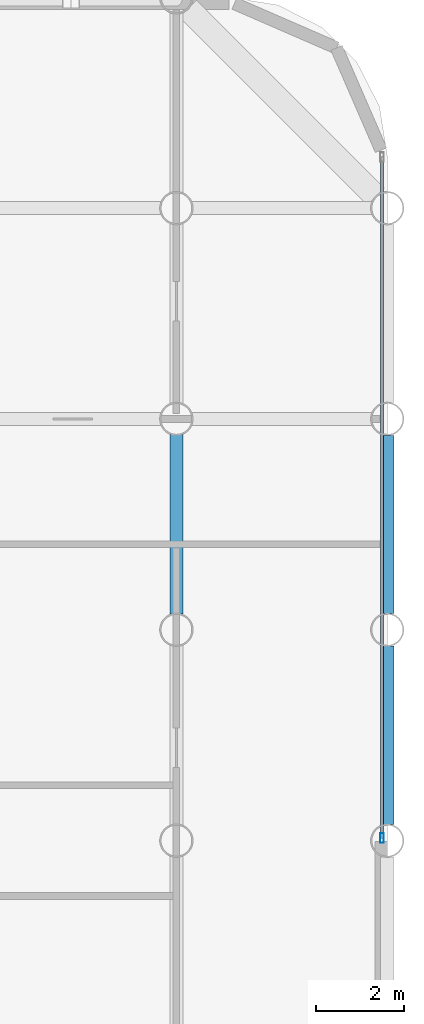
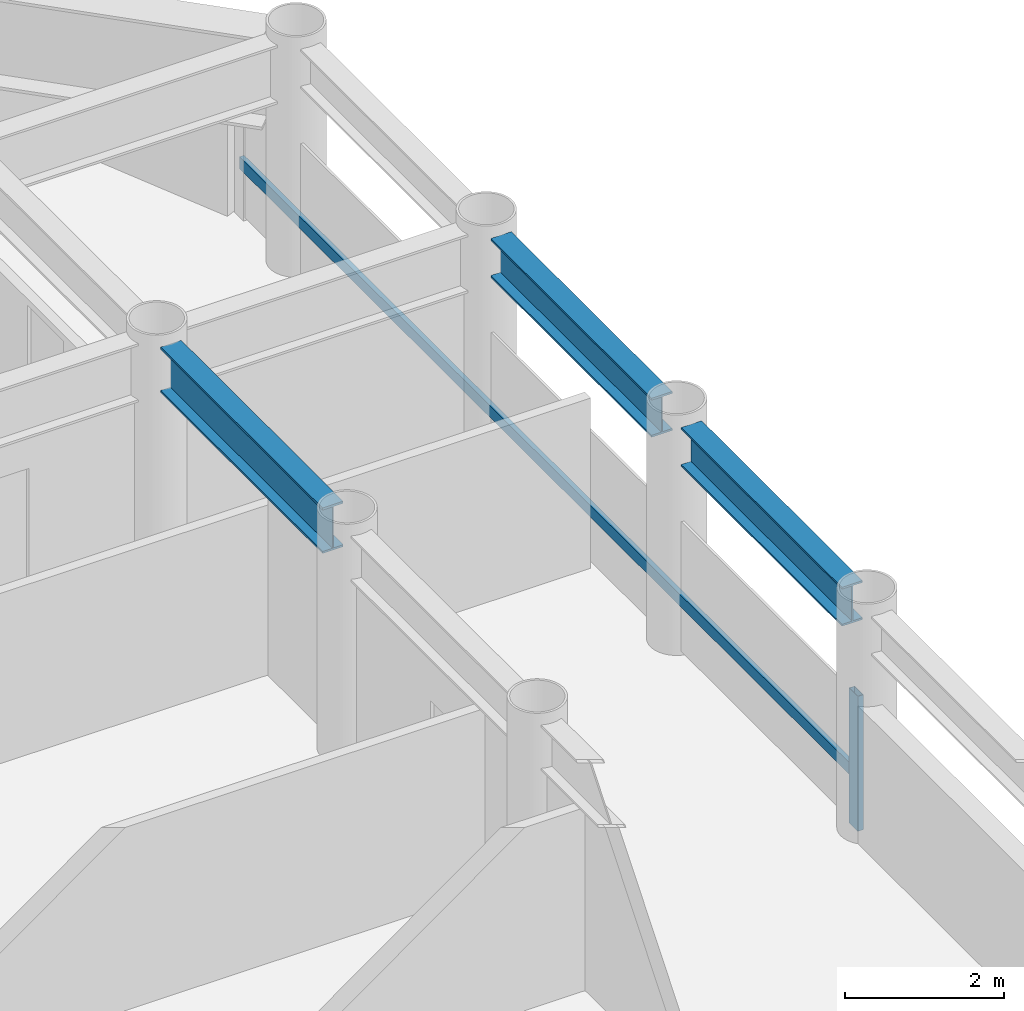
# One storey, part 8 of 21: 3 beams, 2 members, 1 element without a shape of its own.
"""IFC4 building model written with IfcOpenShell, lengths in metres."""

from ifc_helpers import new_model, si_unit, direction, frame, origin, origin_2d, place, context, subcontext, project, spatial, hollow_rectangle, i_section, extrude, material, layer, layer_set, material_profile, profile_set, type_object, element, aggregate, save


model = new_model("IFC4")

# Units and contexts
model_context = context("Model", 3, precision=1e-05, world=origin(), true_north=direction((0.0, 1.0)))
body_context = subcontext(model_context, "Body", "Model", "MODEL_VIEW")
ifc_project = project(units=[si_unit("LENGTHUNIT", "METRE"), si_unit("AREAUNIT", "SQUARE_METRE"), si_unit("VOLUMEUNIT", "CUBIC_METRE"), si_unit("PLANEANGLEUNIT", "RADIAN"), si_unit("MASSUNIT", "GRAM", prefix="KILO")], contexts=[model_context])

# Site, building, storey
site_placement = place(None, origin())
site = spatial("IfcSite", under=ifc_project, at=site_placement, CompositionType="ELEMENT")
building_placement = place(site_placement, origin())
building = spatial("IfcBuilding", under=site, at=building_placement, Name="Kallvorn Hotel Tower", CompositionType="ELEMENT")
storey_placement = place(building_placement, frame((0.0, 0.0, 81.800048828125)))
storey = spatial("IfcBuildingStorey", under=building, at=storey_placement, Name="L19", CompositionType="ELEMENT", Elevation=81.800048828125)

# Beams
ifc_material_1 = material(Name="Structural steel S355JR", Category="steel")
ifc_material_profile_1 = material_profile(ifc_material_1, i_section(OverallWidth=0.300048828125, OverallDepth=0.60009765625, WebThickness=0.015380859375, FlangeThickness=0.030029296875, at=origin_2d()), Name="HE 600 B")
ifc_profile_set_1 = profile_set([ifc_material_profile_1], Name="Structural steel S355JR")
beam_type_1 = type_object("IfcBeamType", Name="BM_HE600B", PredefinedType="SPANDREL", material=ifc_profile_set_1)
beam_1_placement = place(storey_placement, frame((33.60009765625, 0.37109375, 3.219970703125), z_axis=(0.0, 1.0, 0.0), x_axis=(-1.0, 0.0, 0.0)))
element("IfcBeam", 1, at=beam_1_placement, inside=storey, type_object=beam_type_1, Name="L20 Perimeter Spandrel 186", PredefinedType="SPANDREL", context=body_context, shape_type="SweptSolid", body=[
    extrude(i_section(OverallWidth=0.300048828125, OverallDepth=0.60009765625, WebThickness=0.015380859375, FlangeThickness=0.030029296875, at=origin_2d()), origin(), (0.0, 0.0, 1.0), 4.057861328125),
])
beam_2_placement = place(storey_placement, frame((33.60009765625, 5.1708984375, 3.219970703125), z_axis=(0.0, 1.0, 0.0), x_axis=(-1.0, 0.0, 0.0)))
element("IfcBeam", 2, at=beam_2_placement, inside=storey, type_object=beam_type_1, Name="L20 Perimeter Spandrel 187", PredefinedType="SPANDREL", context=body_context, shape_type="SweptSolid", body=[
    extrude(i_section(OverallWidth=0.300048828125, OverallDepth=0.60009765625, WebThickness=0.015380859375, FlangeThickness=0.030029296875, at=origin_2d()), origin(), (0.0, 0.0, 1.0), 4.05810546875),
])
ifc_material_2 = material(Name="Structural steel S355JR", Category="steel")
ifc_material_profile_2 = material_profile(ifc_material_2, i_section(OverallWidth=0.300048828125, OverallDepth=0.699951171875, WebThickness=0.01708984375, FlangeThickness=0.031982421875, at=origin_2d()), Name="HE 700 B")
ifc_profile_set_2 = profile_set([ifc_material_profile_2], Name="Structural steel S355JR")
beam_type_2 = type_object("IfcBeamType", Name="BM_HE700B", PredefinedType="BEAM", material=ifc_profile_set_2)
beam_3_placement = place(storey_placement, frame((28.800048828125, 5.156005859375, 3.169921875), z_axis=(0.0, 1.0, 0.0), x_axis=(-1.0, 0.0, 0.0)))
element("IfcBeam", 3, at=beam_3_placement, inside=storey, type_object=beam_type_2, Name="L20 Primary Y-Girder 148", PredefinedType="BEAM", context=body_context, shape_type="SweptSolid", body=[
    extrude(i_section(OverallWidth=0.300048828125, OverallDepth=0.699951171875, WebThickness=0.01708984375, FlangeThickness=0.031982421875, at=origin_2d()), origin(), (0.0, 0.0, 1.0), 4.087890625),
])

# Curtain wall, members
ifc_material_3 = material(Name="Thermally broken black-anodised aluminium AA 6063-T6", Category="aluminium")
ifc_layer = layer(ifc_material_3, 0.199951171875)
ifc_layer_set = layer_set([ifc_layer], Name="CW_SYS_3_HOTEL_LOW")
curtain_wall_type = type_object("IfcCurtainWallType", Name="CW_SYS_3_HOTEL_LOW", PredefinedType="USERDEFINED", material=ifc_layer_set)
curtain_wall_placement = place(storey_placement, origin())
curtain_wall = element("IfcCurtainWall", 4, at=curtain_wall_placement, inside=storey, type_object=curtain_wall_type, Name="L19 Dark-Glass Curtain Wall CW-L19-EN", ObjectType="UNITISED CURTAIN WALL", PredefinedType="USERDEFINED")
ifc_material_4 = material(Name="Thermally broken black-anodised aluminium AA 6063-T6", Category="aluminium")
ifc_material_profile_3 = material_profile(ifc_material_4, hollow_rectangle(XDim=0.080078125, YDim=0.219970703125, WallThickness=0.0048828125, at=origin_2d()), Name="MUL 220x80")
ifc_profile_set_3 = profile_set([ifc_material_profile_3], Name="Thermally broken black-anodised aluminium AA 6063-T6")
member_type_1 = type_object("IfcMemberType", Name="CW_MULLION_220x80", PredefinedType="MULLION", material=ifc_profile_set_3)
member_1_placement = place(storey_placement, frame((33.47998046875, 0.06005859375, 0.02001953125), z_axis=(0.0, 0.0, 1.0), x_axis=(1.0, 0.0, 0.0)))
member_1 = element("IfcMember", 5, at=member_1_placement, type_object=member_type_1, Name="CW-L19-EN Mullion 00", PredefinedType="MULLION", context=body_context, shape_type="SweptSolid", body=[
    extrude(hollow_rectangle(XDim=0.080078125, YDim=0.219970703125, WallThickness=0.0048828125, at=origin_2d()), origin(), (0.0, 0.0, 1.0), 2.079833984375),
])
ifc_material_5 = material(Name="Thermally broken black-anodised aluminium AA 6063-T6", Category="aluminium")
ifc_material_profile_4 = material_profile(ifc_material_5, hollow_rectangle(XDim=0.070068359375, YDim=0.179931640625, WallThickness=0.00390625, at=origin_2d()), Name="TRN 180x70")
ifc_profile_set_4 = profile_set([ifc_material_profile_4], Name="Thermally broken black-anodised aluminium AA 6063-T6")
member_type_2 = type_object("IfcMemberType", Name="CW_TRANSOM_180x70", PredefinedType="USERDEFINED", material=ifc_profile_set_4)
member_2_placement = place(storey_placement, frame((33.47998046875, 0.06005859375, 0.849853515625), z_axis=(0.0, 1.0, 0.0), x_axis=(-1.0, 0.0, 0.0)))
member_2 = element("IfcMember", 6, at=member_2_placement, type_object=member_type_2, Name="CW-L19-EN Transom 00M", ObjectType="TRANSOM", PredefinedType="USERDEFINED", context=body_context, shape_type="SweptSolid", body=[
    extrude(hollow_rectangle(XDim=0.070068359375, YDim=0.179931640625, WallThickness=0.00390625, at=origin_2d()), origin(), (0.0, 0.0, 1.0), 15.5),
])
aggregate(curtain_wall, [member_1, member_2])

save(model, "model.ifc")
